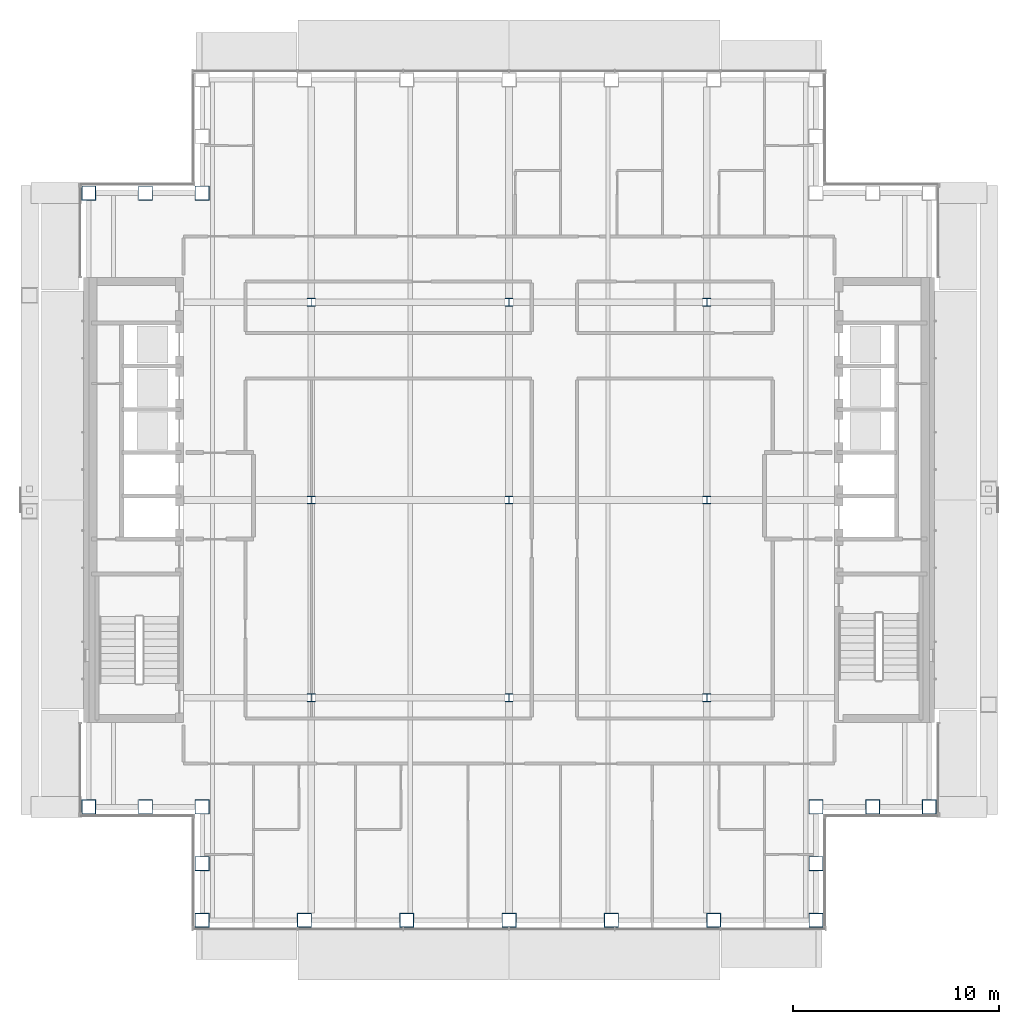
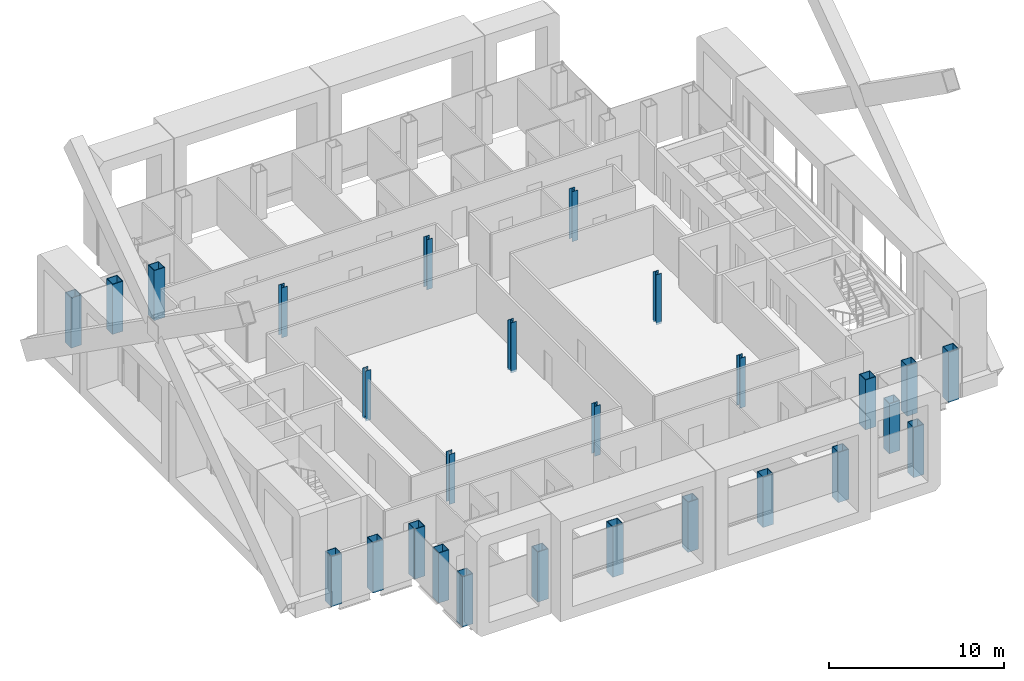
# One storey, part 1 of 21: 27 columns.
"""IFC4 building model written with IfcOpenShell, lengths in metres."""

from ifc_helpers import new_model, si_unit, direction, frame, origin, origin_2d, place, context, subcontext, project, spatial, hollow_rectangle, i_section, extrude, material, material_profile, profile_set, type_object, element, save


model = new_model("IFC4")

# Units and contexts
model_context = context("Model", 3, precision=1e-05, world=origin(), true_north=direction((0.0, 1.0)))
body_context = subcontext(model_context, "Body", "Model", "MODEL_VIEW")
ifc_project = project(units=[si_unit("LENGTHUNIT", "METRE"), si_unit("AREAUNIT", "SQUARE_METRE"), si_unit("VOLUMEUNIT", "CUBIC_METRE"), si_unit("PLANEANGLEUNIT", "RADIAN"), si_unit("MASSUNIT", "GRAM", prefix="KILO")], contexts=[model_context])

# Site, building, storey
site_placement = place(None, origin())
site = spatial("IfcSite", under=ifc_project, at=site_placement, CompositionType="ELEMENT")
building_placement = place(site_placement, origin())
building = spatial("IfcBuilding", under=site, at=building_placement, Name="Cobrizo Arcos Hotel Tower", CompositionType="ELEMENT")
storey_placement = place(building_placement, frame((0.0, 0.0, 212.0)))
storey = spatial("IfcBuildingStorey", under=building, at=storey_placement, Name="L55", CompositionType="ELEMENT", Elevation=212.0)

# Columns
ifc_material_1 = material(Name="Steel ASTM A572 Grade 50", Category="steel")
ifc_material_profile_1 = material_profile(ifc_material_1, hollow_rectangle(XDim=0.699951171875, YDim=0.699951171875, WallThickness=0.0400390625, at=origin_2d()), Name="BOX 700X700X40")
ifc_profile_set_1 = profile_set([ifc_material_profile_1], Name="Steel ASTM A572 Grade 50")
column_type_1 = type_object("IfcColumnType", Name="BOX 700X700X40 column", PredefinedType="COLUMN", material=ifc_profile_set_1)
for number, where, z_axis, x_axis, name in (
    (1, (-14.89990234375, -20.39990234375, -0.14990234375), (0.0, 0.0, 1.0), (1.0, 0.0, 0.0), "Perimeter column C10, L55, no. 01"),
    (2, (-9.93310546875, -20.39990234375, -0.14990234375), (0.0, 0.0, 1.0), (1.0, 0.0, 0.0), "Perimeter column C10, L55, no. 03"),
    (3, (-4.967041015625, -20.39990234375, -0.14990234375), (0.0, 0.0, 1.0), (1.0, 0.0, 0.0), "Perimeter column C10, L55, no. 05"),
    (4, (0.0, -20.39990234375, -0.14990234375), (0.0, 0.0, 1.0), (1.0, 0.0, 0.0), "Perimeter column C10, L55, no. 07"),
    (5, (4.967041015625, -20.39990234375, -0.14990234375), (0.0, 0.0, 1.0), (1.0, 0.0, 0.0), "Perimeter column C10, L55, no. 09"),
    (6, (9.93310546875, -20.39990234375, -0.14990234375), (0.0, 0.0, 1.0), (1.0, 0.0, 0.0), "Perimeter column C10, L55, no. 11"),
    (7, (14.89990234375, -20.39990234375, -0.14990234375), (0.0, 0.0, 1.0), (1.0, 0.0, 0.0), "Perimeter column C10, L55, no. 13"),
    (8, (20.39990234375, -14.89990234375, -0.14990234375), (0.0, 0.0, 1.0), (1.0, 0.0, 0.0), "Perimeter column C10, L55, no. 14"),
    (9, (-20.39990234375, -14.89990234375, -0.14990234375), (0.0, 0.0, 1.0), (1.0, 0.0, 0.0), "Perimeter column C10, L55, no. 15"),
    (10, (-20.39990234375, 14.89990234375, -0.14990234375), (0.0, 0.0, 1.0), (1.0, 0.0, 0.0), "Perimeter column C10, L55, no. 17"),
    (11, (-14.89990234375, -14.89990234375, -0.14990234375), (0.0, 0.0, 1.0), (1.0, 0.0, 0.0), "Perimeter column C10, L55, no. 18"),
    (12, (-14.89990234375, -17.64990234375, -0.14990234375), (0.0, 0.0, 1.0), (1.0, 0.0, 0.0), "Perimeter column C10, L55, no. 19"),
    (13, (-17.64990234375, -14.89990234375, -0.14990234375), (0.0, 0.0, 1.0), (1.0, 0.0, 0.0), "Perimeter column C10, L55, no. 20"),
    (14, (-14.89990234375, 14.89990234375, -0.14990234375), (0.0, 0.0, 1.0), (1.0, 0.0, 0.0), "Perimeter column C10, L55, no. 21"),
    (15, (-17.64990234375, 14.89990234375, -0.14990234375), (0.0, 0.0, 1.0), (1.0, 0.0, 0.0), "Perimeter column C10, L55, no. 23"),
    (16, (14.89990234375, -14.89990234375, -0.14990234375), (0.0, 0.0, 1.0), (1.0, 0.0, 0.0), "Perimeter column C10, L55, no. 24"),
    (17, (14.89990234375, -17.64990234375, -0.14990234375), (0.0, 0.0, 1.0), (1.0, 0.0, 0.0), "Perimeter column C10, L55, no. 25"),
    (18, (17.64990234375, -14.89990234375, -0.14990234375), (0.0, 0.0, 1.0), (1.0, 0.0, 0.0), "Perimeter column C10, L55, no. 26"),
):
    element("IfcColumn", number, at=place(storey_placement, frame(where, z_axis=z_axis, x_axis=x_axis)), inside=storey, type_object=column_type_1, Name=name, PredefinedType="COLUMN", context=body_context, shape_type="SweptSolid", body=[
        extrude(hollow_rectangle(XDim=0.699951171875, YDim=0.699951171875, WallThickness=0.0400390625, at=origin_2d()), origin(), (0.0, 0.0, 1.0), 3.5),
    ])
ifc_material_2 = material(Name="Steel ASTM A992 Grade 50", Category="steel")
ifc_material_profile_2 = material_profile(ifc_material_2, i_section(OverallWidth=0.373291015625, OverallDepth=0.373291015625, WebThickness=0.016357421875, FlangeThickness=0.026123046875, at=origin_2d()), Name="W14X132")
ifc_profile_set_2 = profile_set([ifc_material_profile_2], Name="Steel ASTM A992 Grade 50")
column_type_2 = type_object("IfcColumnType", Name="W14X132 interior column", PredefinedType="COLUMN", material=ifc_profile_set_2)
for number, where, z_axis, x_axis, name in (
    (19, (-9.60009765625, -9.60009765625, -0.14990234375), (0.0, 0.0, 1.0), (1.0, 0.0, 0.0), "Interior column C9, L55, no. 00"),
    (20, (-9.60009765625, 0.0, -0.14990234375), (0.0, 0.0, 1.0), (1.0, 0.0, 0.0), "Interior column C9, L55, no. 01"),
    (21, (-9.60009765625, 9.60009765625, -0.14990234375), (0.0, 0.0, 1.0), (1.0, 0.0, 0.0), "Interior column C9, L55, no. 02"),
    (22, (0.0, -9.60009765625, -0.14990234375), (0.0, 0.0, 1.0), (1.0, 0.0, 0.0), "Interior column C9, L55, no. 03"),
    (23, (0.0, 0.0, -0.14990234375), (0.0, 0.0, 1.0), (1.0, 0.0, 0.0), "Interior column C9, L55, no. 04"),
    (24, (0.0, 9.60009765625, -0.14990234375), (0.0, 0.0, 1.0), (1.0, 0.0, 0.0), "Interior column C9, L55, no. 05"),
    (25, (9.60009765625, -9.60009765625, -0.14990234375), (0.0, 0.0, 1.0), (1.0, 0.0, 0.0), "Interior column C9, L55, no. 06"),
    (26, (9.60009765625, 0.0, -0.14990234375), (0.0, 0.0, 1.0), (1.0, 0.0, 0.0), "Interior column C9, L55, no. 07"),
    (27, (9.60009765625, 9.60009765625, -0.14990234375), (0.0, 0.0, 1.0), (1.0, 0.0, 0.0), "Interior column C9, L55, no. 08"),
):
    element("IfcColumn", number, at=place(storey_placement, frame(where, z_axis=z_axis, x_axis=x_axis)), inside=storey, type_object=column_type_2, Name=name, PredefinedType="COLUMN", context=body_context, shape_type="SweptSolid", body=[
        extrude(i_section(OverallWidth=0.373291015625, OverallDepth=0.373291015625, WebThickness=0.016357421875, FlangeThickness=0.026123046875, at=origin_2d()), origin(), (0.0, 0.0, 1.0), 3.5),
    ])

save(model, "model.ifc")
